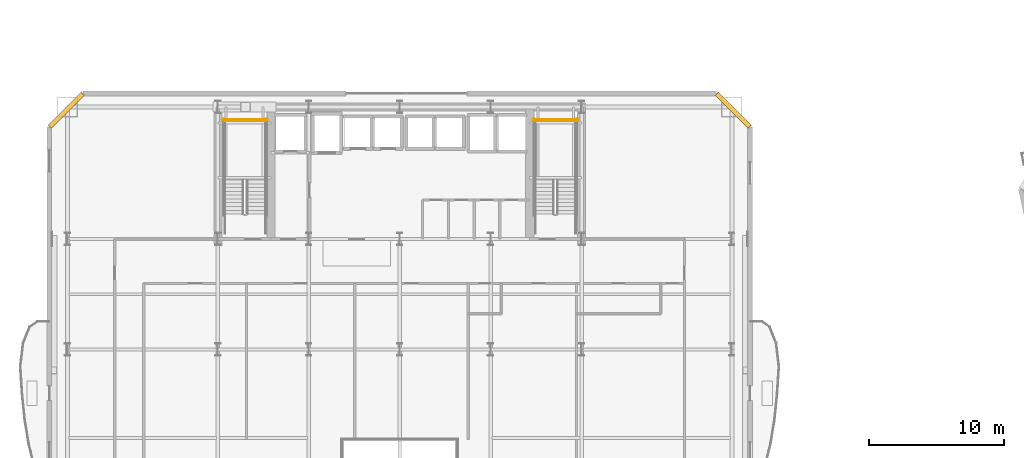
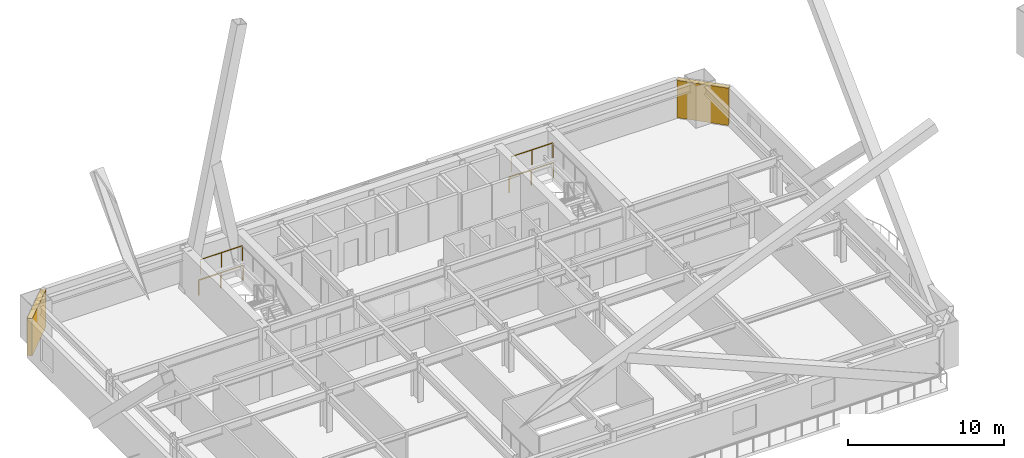
# One storey, part 20 of 25: 4 railings, 2 shading devices.
"""IFC4 building model written with IfcOpenShell, lengths in metres."""

from ifc_helpers import new_model, si_unit, direction, frame, origin, origin_2d, place, context, subcontext, project, spatial, rectangle, extrude, material, layer, layer_set, type_object, element, save


model = new_model("IFC4")

# Units and contexts
model_context = context("Model", 3, precision=1e-05, world=origin(), true_north=direction((0.0, 1.0)))
body_context = subcontext(model_context, "Body", "Model", "MODEL_VIEW")
ifc_project = project(units=[si_unit("LENGTHUNIT", "METRE"), si_unit("AREAUNIT", "SQUARE_METRE"), si_unit("VOLUMEUNIT", "CUBIC_METRE"), si_unit("PLANEANGLEUNIT", "RADIAN"), si_unit("MASSUNIT", "GRAM", prefix="KILO")], contexts=[model_context])

# Site, building, storey
site_placement = place(None, origin())
site = spatial("IfcSite", under=ifc_project, at=site_placement, CompositionType="ELEMENT")
building_placement = place(site_placement, origin())
building = spatial("IfcBuilding", under=site, at=building_placement, Name="Haevon Station Towers", CompositionType="ELEMENT")
storey_placement = place(building_placement, frame((0.0, 0.0, 50.39990234375)))
storey = spatial("IfcBuildingStorey", under=building, at=storey_placement, Name="L12", CompositionType="ELEMENT", Elevation=50.39990234375)

# Railings
ifc_material_1 = material(Name="Steel S355", Category="steel")
railing_type = type_object("IfcRailingType", Name="GRD-STR1200", PredefinedType="GUARDRAIL", material=ifc_material_1)
railing_1_placement = place(storey_placement, frame((27.580078125, 46.949951171875, 1.650146484375)))
element("IfcRailing", 1, at=railing_1_placement, inside=storey, type_object=railing_type, Name="L12 ST1 Stair Guard 5", PredefinedType="GUARDRAIL", context=body_context, shape_type="SweptSolid", body=[
    extrude(rectangle(XDim=0.048095703125, YDim=0.048095703125, at=origin_2d()), frame((0.0, 0.0, 1.17578125), z_axis=(-1.0, 0.0, 0.0), x_axis=(0.0, -1.0, 0.0)), (0.0, 0.0, 1.0), 3.10009765625),
    extrude(rectangle(XDim=0.0419921875, YDim=0.0419921875, at=origin_2d()), origin(), (0.0, 0.0, 1.0), 1.15185546875),
    extrude(rectangle(XDim=0.0419921875, YDim=0.0419921875, at=origin_2d()), frame((-1.550048828125, 0.0, 0.0)), (0.0, 0.0, 1.0), 1.15185546875),
    extrude(rectangle(XDim=0.0419921875, YDim=0.0419921875, at=origin_2d()), frame((-3.10009765625, 0.0, 0.0)), (0.0, 0.0, 1.0), 1.15185546875),
])
railing_2_placement = place(storey_placement, frame((27.679931640625, 47.050048828125, 0.0)))
element("IfcRailing", 2, at=railing_2_placement, inside=storey, type_object=railing_type, Name="L12 ST1 Stair Guard 12", PredefinedType="GUARDRAIL", context=body_context, shape_type="SweptSolid", body=[
    extrude(rectangle(XDim=0.048095703125, YDim=0.048095703125, at=origin_2d()), frame((0.0, 0.0, 1.17578125), z_axis=(-1.0, 0.0, 0.0), x_axis=(0.0, -1.0, 0.0)), (0.0, 0.0, 1.0), 3.300048828125),
    extrude(rectangle(XDim=0.0419921875, YDim=0.0419921875, at=origin_2d()), origin(), (0.0, 0.0, 1.0), 1.15185546875),
    extrude(rectangle(XDim=0.0419921875, YDim=0.0419921875, at=origin_2d()), frame((-1.64990234375, 0.0, 0.0)), (0.0, 0.0, 1.0), 1.15185546875),
    extrude(rectangle(XDim=0.0419921875, YDim=0.0419921875, at=origin_2d()), frame((-3.300048828125, 0.0, 0.0)), (0.0, 0.0, 1.0), 1.15185546875),
])
railing_3_placement = place(storey_placement, frame((50.6201171875, 46.949951171875, 1.650146484375)))
element("IfcRailing", 3, at=railing_3_placement, inside=storey, type_object=railing_type, Name="L12 ST2 Stair Guard 5", PredefinedType="GUARDRAIL", context=body_context, shape_type="SweptSolid", body=[
    extrude(rectangle(XDim=0.048095703125, YDim=0.048095703125, at=origin_2d()), frame((0.0, 0.0, 1.17578125), z_axis=(-1.0, 0.0, 0.0), x_axis=(0.0, -1.0, 0.0)), (0.0, 0.0, 1.0), 3.10009765625),
    extrude(rectangle(XDim=0.0419921875, YDim=0.0419921875, at=origin_2d()), origin(), (0.0, 0.0, 1.0), 1.15185546875),
    extrude(rectangle(XDim=0.0419921875, YDim=0.0419921875, at=origin_2d()), frame((-1.550048828125, 0.0, 0.0)), (0.0, 0.0, 1.0), 1.15185546875),
    extrude(rectangle(XDim=0.0419921875, YDim=0.0419921875, at=origin_2d()), frame((-3.10009765625, 0.0, 0.0)), (0.0, 0.0, 1.0), 1.15185546875),
])
railing_4_placement = place(storey_placement, frame((50.719970703125, 47.050048828125, 0.0)))
element("IfcRailing", 4, at=railing_4_placement, inside=storey, type_object=railing_type, Name="L12 ST2 Stair Guard 12", PredefinedType="GUARDRAIL", context=body_context, shape_type="SweptSolid", body=[
    extrude(rectangle(XDim=0.048095703125, YDim=0.048095703125, at=origin_2d()), frame((0.0, 0.0, 1.17578125), z_axis=(-1.0, 0.0, 0.0), x_axis=(0.0, -1.0, 0.0)), (0.0, 0.0, 1.0), 3.300048828125),
    extrude(rectangle(XDim=0.0419921875, YDim=0.0419921875, at=origin_2d()), origin(), (0.0, 0.0, 1.0), 1.15185546875),
    extrude(rectangle(XDim=0.0419921875, YDim=0.0419921875, at=origin_2d()), frame((-1.64990234375, 0.0, 0.0)), (0.0, 0.0, 1.0), 1.15185546875),
    extrude(rectangle(XDim=0.0419921875, YDim=0.0419921875, at=origin_2d()), frame((-3.300048828125, 0.0, 0.0)), (0.0, 0.0, 1.0), 1.15185546875),
])

# Shading devices
ifc_material_2 = material(Name="Anodised aluminium 6063-T6", Category="aluminium")
ifc_layer = layer(ifc_material_2, 0.139892578125)
ifc_layer_set = layer_set([ifc_layer], Name="Anodised aluminium 6063-T6")
shading_device_type = type_object("IfcShadingDeviceType", Name="SHD-WIND-BAFFLE", PredefinedType="SHUTTER", material=ifc_layer_set)
for number, where, z_axis, x_axis, name in (
    (5, (12.75, 47.75, 0.05029296875), (0.0, 0.0, 1.0), (0.707106781187, 0.707106781187, 0.0), "Tower 1 L12 Wind-Corner Aerofoil Baffle NWC"),
    (6, (62.25, 47.75, 0.05029296875), (0.0, 0.0, 1.0), (0.707106781187, -0.707106781187, 0.0), "Tower 1 L12 Wind-Corner Aerofoil Baffle NEC"),
):
    element("IfcShadingDevice", number, at=place(storey_placement, frame(where, z_axis=z_axis, x_axis=x_axis)), inside=storey, type_object=shading_device_type, Name=name, PredefinedType="SHUTTER", context=body_context, shape_type="SweptSolid", body=[
        extrude(rectangle(XDim=3.435546875, YDim=0.340087890625, at=origin_2d()), origin(), (0.0, 0.0, 1.0), 2.929931640625),
    ])

save(model, "model.ifc")
